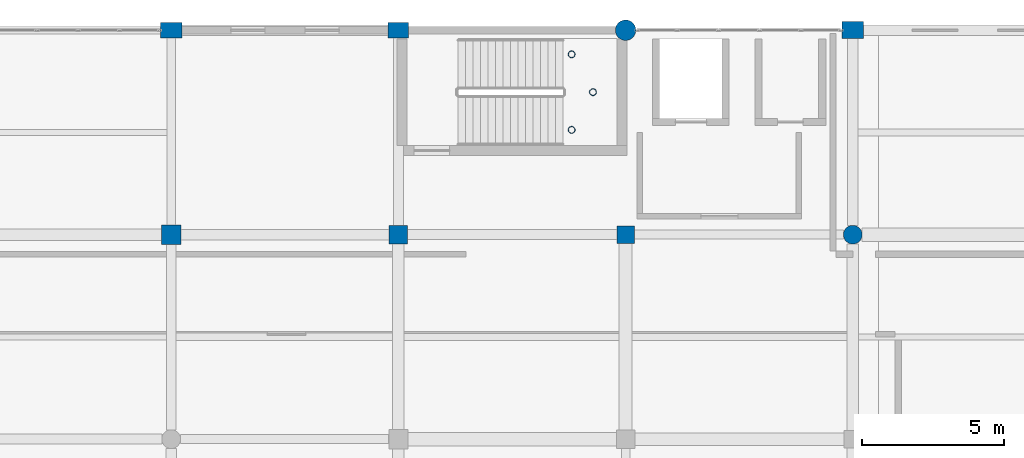
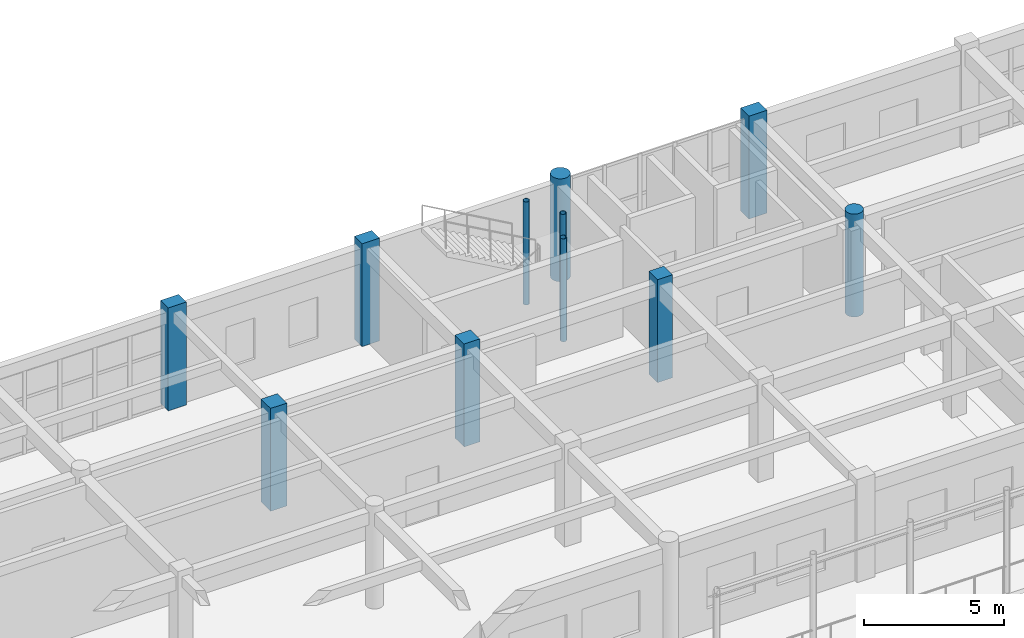
# One storey, part 26 of 160: 11 columns.
"""IFC4 building model written with IfcOpenShell, lengths in metres."""

from ifc_helpers import new_model, si_unit, direction, frame, origin, origin_2d, place, context, subcontext, project, spatial, rectangle, circle, hollow_circle, extrude, material, material_profile, profile_set, type_object, element, save


model = new_model("IFC4")

# Units and contexts
model_context = context("Model", 3, precision=1e-05, world=origin(), true_north=direction((0.0, 1.0)))
body_context = subcontext(model_context, "Body", "Model", "MODEL_VIEW")
ifc_project = project(units=[si_unit("LENGTHUNIT", "METRE"), si_unit("AREAUNIT", "SQUARE_METRE"), si_unit("VOLUMEUNIT", "CUBIC_METRE"), si_unit("PLANEANGLEUNIT", "RADIAN"), si_unit("MASSUNIT", "GRAM", prefix="KILO")], contexts=[model_context])

# Site, building, storey
site_placement = place(None, origin())
site = spatial("IfcSite", under=ifc_project, at=site_placement, CompositionType="ELEMENT")
building_placement = place(site_placement, origin())
building = spatial("IfcBuilding", under=site, at=building_placement, Name="Kharva Crest Polytechnic", CompositionType="ELEMENT")
storey_placement = place(building_placement, frame((0.0, 0.0, 4.5)))
storey = spatial("IfcBuildingStorey", under=building, at=storey_placement, Name="L01", CompositionType="ELEMENT", Elevation=4.5)

# Columns
ifc_material_1 = material(Name="Concrete C40/50", Category="concrete")
ifc_material_profile_1 = material_profile(ifc_material_1, rectangle(XDim=0.719970703125, YDim=0.550048828125, at=origin_2d()), Name="RECT 720 X 550")
ifc_profile_set_1 = profile_set([ifc_material_profile_1], Name="Concrete C40/50")
column_type_1 = type_object("IfcColumnType", Name="COL-EXT-720X550", PredefinedType="COLUMN", material=ifc_profile_set_1)
column_1_placement = place(storey_placement, frame((104.0, 122.0, 0.0), z_axis=(0.0, 0.0, 1.0), x_axis=(1.0, 0.0, 0.0)))
element("IfcColumn", 1, at=column_1_placement, inside=storey, type_object=column_type_1, Name="L01 Column 14/S", PredefinedType="COLUMN", context=body_context, shape_type="SweptSolid", body=[
    extrude(rectangle(XDim=0.719970703125, YDim=0.550048828125, at=origin_2d()), origin(), (0.0, 0.0, 1.0), 4.5),
])
ifc_material_profile_2 = material_profile(ifc_material_1, rectangle(XDim=0.75, YDim=0.550048828125, at=origin_2d()), Name="RECT 750 X 550")
ifc_profile_set_2 = profile_set([ifc_material_profile_2], Name="Concrete C40/50")
column_type_2 = type_object("IfcColumnType", Name="COL-EXT-750X550", PredefinedType="COLUMN", material=ifc_profile_set_2)
column_2_placement = place(storey_placement, frame((96.0, 122.0, 0.0), z_axis=(0.0, 0.0, 1.0), x_axis=(1.0, 0.0, 0.0)))
element("IfcColumn", 2, at=column_2_placement, inside=storey, type_object=column_type_2, Name="L01 Column 13/S", PredefinedType="COLUMN", context=body_context, shape_type="SweptSolid", body=[
    extrude(rectangle(XDim=0.75, YDim=0.550048828125, at=origin_2d()), origin(), (0.0, 0.0, 1.0), 4.5),
])
ifc_material_profile_3 = material_profile(ifc_material_1, rectangle(XDim=0.75, YDim=0.60009765625, at=origin_2d()), Name="RECT 750 X 600")
ifc_profile_set_3 = profile_set([ifc_material_profile_3], Name="Concrete C40/50")
column_type_3 = type_object("IfcColumnType", Name="COL-EXT-750X600", PredefinedType="COLUMN", material=ifc_profile_set_3)
column_3_placement = place(storey_placement, frame((120.0, 122.0, 0.0), z_axis=(0.0, 0.0, 1.0), x_axis=(1.0, 0.0, 0.0)))
element("IfcColumn", 3, at=column_3_placement, inside=storey, type_object=column_type_3, Name="L01 Column 16/S", PredefinedType="COLUMN", context=body_context, shape_type="SweptSolid", body=[
    extrude(rectangle(XDim=0.75, YDim=0.60009765625, at=origin_2d()), origin(), (0.0, 0.0, 1.0), 4.5),
])
ifc_material_profile_4 = material_profile(ifc_material_1, circle(Radius=0.360107421875, at=origin_2d()), Name="DIA 720")
ifc_profile_set_4 = profile_set([ifc_material_profile_4], Name="Concrete C40/50")
column_type_4 = type_object("IfcColumnType", Name="COL-EXT-DIA720", PredefinedType="COLUMN", material=ifc_profile_set_4)
column_4_placement = place(storey_placement, frame((112.0, 122.0, 0.0), z_axis=(0.0, 0.0, 1.0), x_axis=(1.0, 0.0, 0.0)))
element("IfcColumn", 4, at=column_4_placement, inside=storey, type_object=column_type_4, Name="L01 Column 15/S", PredefinedType="COLUMN", context=body_context, shape_type="SweptSolid", body=[
    extrude(circle(Radius=0.360107421875, at=origin_2d()), origin(), (0.0, 0.0, 1.0), 4.5),
])
ifc_material_profile_5 = material_profile(ifc_material_1, rectangle(XDim=0.6201171875, YDim=0.6201171875, at=origin_2d()), Name="RECT 620 X 620")
ifc_profile_set_5 = profile_set([ifc_material_profile_5], Name="Concrete C40/50")
column_type_5 = type_object("IfcColumnType", Name="COL-INT-620X620", PredefinedType="COLUMN", material=ifc_profile_set_5)
column_5_placement = place(storey_placement, frame((112.0, 114.800048828125, 0.0), z_axis=(0.0, 0.0, 1.0), x_axis=(1.0, 0.0, 0.0)))
element("IfcColumn", 5, at=column_5_placement, inside=storey, type_object=column_type_5, Name="L01 Column 15/R", PredefinedType="COLUMN", context=body_context, shape_type="SweptSolid", body=[
    extrude(rectangle(XDim=0.6201171875, YDim=0.6201171875, at=origin_2d()), origin(), (0.0, 0.0, 1.0), 4.5),
])
ifc_material_profile_6 = material_profile(ifc_material_1, rectangle(XDim=0.64990234375, YDim=0.64990234375, at=origin_2d()), Name="RECT 650 X 650")
ifc_profile_set_6 = profile_set([ifc_material_profile_6], Name="Concrete C40/50")
column_type_6 = type_object("IfcColumnType", Name="COL-INT-650X650", PredefinedType="COLUMN", material=ifc_profile_set_6)
column_6_placement = place(storey_placement, frame((104.0, 114.800048828125, 0.0), z_axis=(0.0, 0.0, 1.0), x_axis=(1.0, 0.0, 0.0)))
element("IfcColumn", 6, at=column_6_placement, inside=storey, type_object=column_type_6, Name="L01 Column 14/R", PredefinedType="COLUMN", context=body_context, shape_type="SweptSolid", body=[
    extrude(rectangle(XDim=0.64990234375, YDim=0.64990234375, at=origin_2d()), origin(), (0.0, 0.0, 1.0), 4.5),
])
ifc_material_profile_7 = material_profile(ifc_material_1, rectangle(XDim=0.679931640625, YDim=0.679931640625, at=origin_2d()), Name="RECT 680 X 680")
ifc_profile_set_7 = profile_set([ifc_material_profile_7], Name="Concrete C40/50")
column_type_7 = type_object("IfcColumnType", Name="COL-INT-680X680", PredefinedType="COLUMN", material=ifc_profile_set_7)
column_7_placement = place(storey_placement, frame((96.0, 114.800048828125, 0.0), z_axis=(0.0, 0.0, 1.0), x_axis=(1.0, 0.0, 0.0)))
element("IfcColumn", 7, at=column_7_placement, inside=storey, type_object=column_type_7, Name="L01 Column 13/R", PredefinedType="COLUMN", context=body_context, shape_type="SweptSolid", body=[
    extrude(rectangle(XDim=0.679931640625, YDim=0.679931640625, at=origin_2d()), origin(), (0.0, 0.0, 1.0), 4.5),
])
ifc_material_profile_8 = material_profile(ifc_material_1, circle(Radius=0.330078125, at=origin_2d()), Name="DIA 660")
ifc_profile_set_8 = profile_set([ifc_material_profile_8], Name="Concrete C40/50")
column_type_8 = type_object("IfcColumnType", Name="COL-INT-DIA660", PredefinedType="COLUMN", material=ifc_profile_set_8)
column_8_placement = place(storey_placement, frame((120.0, 114.800048828125, 0.0), z_axis=(0.0, 0.0, 1.0), x_axis=(1.0, 0.0, 0.0)))
element("IfcColumn", 8, at=column_8_placement, inside=storey, type_object=column_type_8, Name="L01 Column 16/R", PredefinedType="COLUMN", context=body_context, shape_type="SweptSolid", body=[
    extrude(circle(Radius=0.330078125, at=origin_2d()), origin(), (0.0, 0.0, 1.0), 4.5),
])
ifc_material_2 = material(Name="Steel S355", Category="steel")
ifc_material_profile_9 = material_profile(ifc_material_2, hollow_circle(Radius=0.122314453125, WallThickness=0.010009765625, at=origin_2d()), Name="CHS 244.5X10.0")
ifc_profile_set_9 = profile_set([ifc_material_profile_9], Name="Steel S355")
column_type_9 = type_object("IfcColumnType", Name="COL-STL-CHS244", PredefinedType="COLUMN", material=ifc_profile_set_9)
for number, where, z_axis, x_axis, name in (
    (9, (110.10009765625, 118.489990234375, 0.0), (0.0, 0.0, 1.0), (1.0, 0.0, 0.0), "L01 Stair ST-04 Landing Support Column SW"),
    (10, (110.10009765625, 121.14990234375, 0.0), (0.0, 0.0, 1.0), (1.0, 0.0, 0.0), "L01 Stair ST-04 Landing Support Column NW"),
    (11, (110.85009765625, 119.820068359375, 0.0), (0.0, 0.0, 1.0), (1.0, 0.0, 0.0), "L01 Stair ST-04 Landing Support Column EM"),
):
    element("IfcColumn", number, at=place(storey_placement, frame(where, z_axis=z_axis, x_axis=x_axis)), inside=storey, type_object=column_type_9, Name=name, PredefinedType="COLUMN", context=body_context, shape_type="SweptSolid", body=[
        extrude(hollow_circle(Radius=0.122314453125, WallThickness=0.010009765625, at=origin_2d()), origin(), (0.0, 0.0, 1.0), 4.5),
    ])

save(model, "model.ifc")
